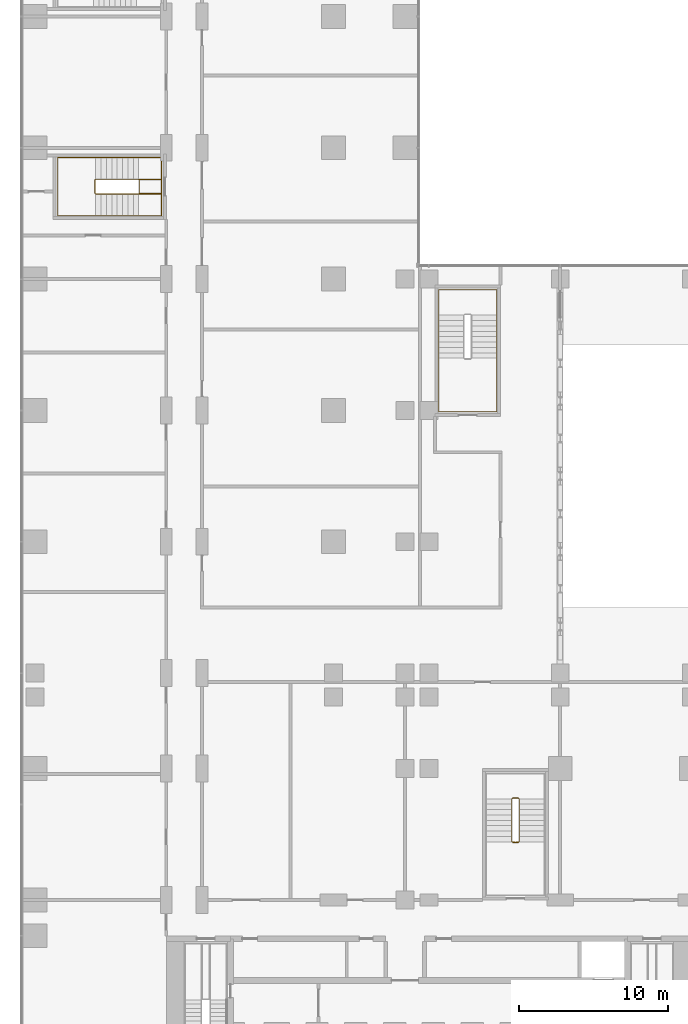
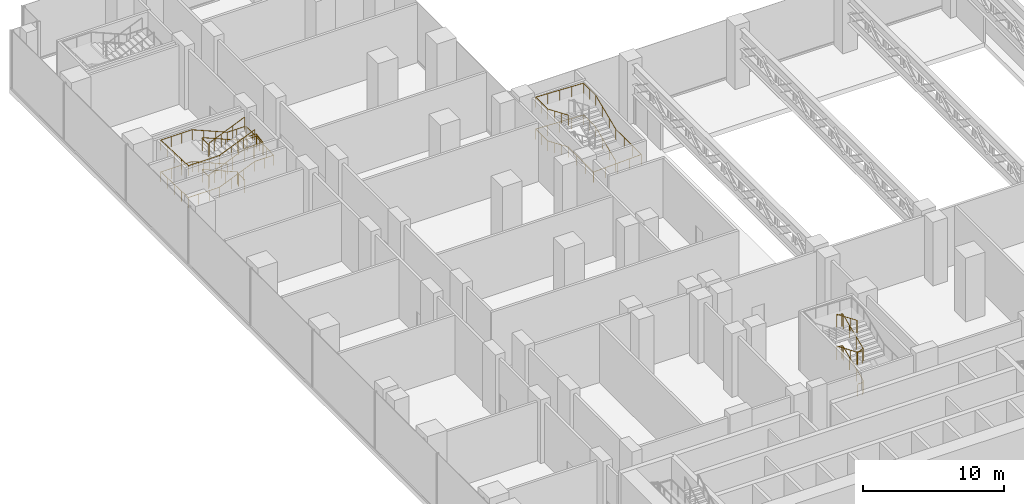
# One storey, part 27 of 30: 4 railings.
"""IFC4 building model written with IfcOpenShell, lengths in metres."""

from ifc_helpers import new_model, si_unit, direction, frame, origin, origin_2d, place, context, subcontext, project, spatial, circle, extrude, material, type_object, element, save


model = new_model("IFC4")

# Units and contexts
model_context = context("Model", 3, precision=1e-05, world=origin(), true_north=direction((0.0, 1.0)))
body_context = subcontext(model_context, "Body", "Model", "MODEL_VIEW")
ifc_project = project(units=[si_unit("LENGTHUNIT", "METRE"), si_unit("AREAUNIT", "SQUARE_METRE"), si_unit("VOLUMEUNIT", "CUBIC_METRE"), si_unit("PLANEANGLEUNIT", "RADIAN"), si_unit("MASSUNIT", "GRAM", prefix="KILO")], contexts=[model_context])

# Site, building, storey
site_placement = place(None, origin())
site = spatial("IfcSite", under=ifc_project, at=site_placement, CompositionType="ELEMENT")
building_placement = place(site_placement, origin())
building = spatial("IfcBuilding", under=site, at=building_placement, Name="Kemantara Hotel Tower", CompositionType="ELEMENT")
storey_placement = place(building_placement, frame((0.0, 0.0, 23.5)))
storey = spatial("IfcBuildingStorey", under=building, at=storey_placement, Name="L04", CompositionType="ELEMENT", Elevation=23.5)

# Railings
ifc_material = material(Name="Stainless steel balustrade", Category="steel")
railing_type_1 = type_object("IfcRailingType", Name="Stair guard 1100 mm", PredefinedType="GUARDRAIL", material=ifc_material)
railing_1_placement = place(storey_placement, frame((7.949951171875, 59.5, 5.5)))
element("IfcRailing", 1, at=railing_1_placement, inside=storey, type_object=railing_type_1, Name="L04 ST4 stair guard 1", PredefinedType="GUARDRAIL", context=body_context, shape_type="SweptSolid", body=[
    extrude(circle(Radius=0.02392578125, at=origin_2d()), frame((0.0, 0.0, 1.076171875), z_axis=(-0.920535863683, 0.0, -0.390658064903), x_axis=(0.0, -1.0, 0.0)), (0.0, 0.0, 1.0), 3.12841796875),
    extrude(circle(Radius=0.02392578125, at=origin_2d()), frame((-2.8798828125, 0.0, -0.14599609375), z_axis=(-0.297155754911, 0.297155754911, -0.90741220768), x_axis=(-0.707106781187, -0.707106781187, 0.0)), (0.0, 0.0, 1.0), 0.16845703125),
    extrude(circle(Radius=0.02392578125, at=origin_2d()), frame((-2.929931640625, 0.050048828125, -0.298828125), z_axis=(0.0, 1.0, 0.0), x_axis=(-1.0, 0.0, 0.0)), (0.0, 0.0, 1.0), 0.89990234375),
    extrude(circle(Radius=0.02392578125, at=origin_2d()), frame((-2.929931640625, 0.949951171875, -0.298828125), z_axis=(0.707106781187, 0.707106781187, 0.0), x_axis=(-0.707106781187, 0.707106781187, 0.0)), (0.0, 0.0, 1.0), 0.07080078125),
    extrude(circle(Radius=0.02392578125, at=origin_2d()), frame((-2.8798828125, 1.0, -0.298828125), z_axis=(0.920535863683, 0.0, -0.390658064903), x_axis=(0.0, 1.0, 0.0)), (0.0, 0.0, 1.0), 3.12841796875),
    extrude(circle(Radius=0.02392578125, at=origin_2d()), frame((0.0, 1.0, -1.52099609375), z_axis=(1.0, 0.0, 0.0), x_axis=(0.0, 1.0, 0.0)), (0.0, 0.0, 1.0), 1.530029296875),
    extrude(circle(Radius=0.02392578125, at=origin_2d()), frame((1.530029296875, 1.0, -1.52099609375), z_axis=(0.0, -0.98730409242, -0.158841521936), x_axis=(1.0, 0.0, 0.0)), (0.0, 0.0, 1.0), 0.962158203125),
    extrude(circle(Radius=0.02392578125, at=origin_2d()), frame((1.530029296875, 0.050048828125, -1.673828125), z_axis=(-1.0, 0.0, 0.0), x_axis=(0.0, -1.0, 0.0)), (0.0, 0.0, 1.0), 1.47998046875),
    extrude(circle(Radius=0.02392578125, at=origin_2d()), frame((0.050048828125, 0.050048828125, -1.673828125), z_axis=(0.0, 1.0, 0.0), x_axis=(-1.0, 0.0, 0.0)), (0.0, 0.0, 1.0), 0.89990234375),
    extrude(circle(Radius=0.02392578125, at=origin_2d()), frame((0.050048828125, 0.949951171875, -1.673828125), z_axis=(1.0, 0.0, 0.0), x_axis=(0.0, 1.0, 0.0)), (0.0, 0.0, 1.0), 1.47998046875),
    extrude(circle(Radius=0.02392578125, at=origin_2d()), frame((1.530029296875, 0.949951171875, -1.673828125), z_axis=(0.0, -1.0, 0.0), x_axis=(1.0, 0.0, 0.0)), (0.0, 0.0, 1.0), 0.949951171875),
    extrude(circle(Radius=0.02392578125, at=origin_2d()), frame((1.530029296875, 0.0, -1.673828125), z_axis=(-1.0, 0.0, 0.0), x_axis=(0.0, -1.0, 0.0)), (0.0, 0.0, 1.0), 1.530029296875),
    extrude(circle(Radius=0.02392578125, at=origin_2d()), frame((0.0, 0.0, -1.673828125), z_axis=(-0.920535863683, 0.0, -0.390658064903), x_axis=(0.0, -1.0, 0.0)), (0.0, 0.0, 1.0), 3.12841796875),
    extrude(circle(Radius=0.02392578125, at=origin_2d()), frame((-2.8798828125, 0.0, -2.89599609375), z_axis=(-0.297155754911, 0.297155754911, -0.90741220768), x_axis=(-0.707106781187, -0.707106781187, 0.0)), (0.0, 0.0, 1.0), 0.16845703125),
    extrude(circle(Radius=0.02392578125, at=origin_2d()), frame((-2.929931640625, 0.050048828125, -3.048828125), z_axis=(0.0, 1.0, 0.0), x_axis=(-1.0, 0.0, 0.0)), (0.0, 0.0, 1.0), 0.89990234375),
    extrude(circle(Radius=0.02392578125, at=origin_2d()), frame((-2.929931640625, 0.949951171875, -3.048828125), z_axis=(0.707106781187, 0.707106781187, 0.0), x_axis=(-0.707106781187, 0.707106781187, 0.0)), (0.0, 0.0, 1.0), 0.07080078125),
    extrude(circle(Radius=0.02392578125, at=origin_2d()), frame((-2.8798828125, 1.0, -3.048828125), z_axis=(0.920535863683, 0.0, -0.390658064903), x_axis=(0.0, 1.0, 0.0)), (0.0, 0.0, 1.0), 3.12841796875),
    extrude(circle(Radius=0.02392578125, at=origin_2d()), frame((0.0, 1.0, -4.27099609375), z_axis=(0.297155754911, -0.297155754911, -0.90741220768), x_axis=(0.707106781187, 0.707106781187, 0.0)), (0.0, 0.0, 1.0), 0.16845703125),
    extrude(circle(Radius=0.02392578125, at=origin_2d()), frame((0.050048828125, 0.949951171875, -4.423828125), z_axis=(0.0, -1.0, 0.0), x_axis=(1.0, 0.0, 0.0)), (0.0, 0.0, 1.0), 0.89990234375),
    extrude(circle(Radius=0.02099609375, at=origin_2d()), origin(), (0.0, 0.0, 1.0), 1.052001953125),
    extrude(circle(Radius=0.02099609375, at=origin_2d()), frame((-0.9599609375, 0.0, -0.407470703125)), (0.0, 0.0, 1.0), 1.052001953125),
    extrude(circle(Radius=0.02099609375, at=origin_2d()), frame((-1.919921875, 0.0, -0.814697265625)), (0.0, 0.0, 1.0), 1.052001953125),
    extrude(circle(Radius=0.02099609375, at=origin_2d()), frame((-2.8798828125, 0.0, -1.22216796875)), (0.0, 0.0, 1.0), 1.052001953125),
    extrude(circle(Radius=0.02099609375, at=origin_2d()), frame((-2.929931640625, 0.050048828125, -1.375)), (0.0, 0.0, 1.0), 1.052001953125),
    extrude(circle(Radius=0.02099609375, at=origin_2d()), frame((-2.929931640625, 0.949951171875, -1.375)), (0.0, 0.0, 1.0), 1.052001953125),
    extrude(circle(Radius=0.02099609375, at=origin_2d()), frame((-2.8798828125, 1.0, -1.375)), (0.0, 0.0, 1.0), 1.052001953125),
    extrude(circle(Radius=0.02099609375, at=origin_2d()), frame((-1.919921875, 1.0, -1.782470703125)), (0.0, 0.0, 1.0), 1.052001953125),
    extrude(circle(Radius=0.02099609375, at=origin_2d()), frame((-0.9599609375, 1.0, -2.189697265625)), (0.0, 0.0, 1.0), 1.052001953125),
    extrude(circle(Radius=0.02099609375, at=origin_2d()), frame((0.0, 1.0, -2.59716796875)), (0.0, 0.0, 1.0), 1.052001953125),
    extrude(circle(Radius=0.02099609375, at=origin_2d()), frame((0.76513671875, 1.0, -2.59716796875)), (0.0, 0.0, 1.0), 1.052001953125),
    extrude(circle(Radius=0.02099609375, at=origin_2d()), frame((1.530029296875, 1.0, -2.59716796875)), (0.0, 0.0, 1.0), 1.052001953125),
    extrude(circle(Radius=0.02099609375, at=origin_2d()), frame((1.530029296875, 0.050048828125, -2.75)), (0.0, 0.0, 1.0), 1.052001953125),
    extrude(circle(Radius=0.02099609375, at=origin_2d()), frame((0.7900390625, 0.050048828125, -2.75)), (0.0, 0.0, 1.0), 1.052001953125),
    extrude(circle(Radius=0.02099609375, at=origin_2d()), frame((0.050048828125, 0.050048828125, -2.75)), (0.0, 0.0, 1.0), 1.052001953125),
    extrude(circle(Radius=0.02099609375, at=origin_2d()), frame((0.050048828125, 0.949951171875, -2.75)), (0.0, 0.0, 1.0), 1.052001953125),
    extrude(circle(Radius=0.02099609375, at=origin_2d()), frame((0.7900390625, 0.949951171875, -2.75)), (0.0, 0.0, 1.0), 1.052001953125),
    extrude(circle(Radius=0.02099609375, at=origin_2d()), frame((1.530029296875, 0.949951171875, -2.75)), (0.0, 0.0, 1.0), 1.052001953125),
    extrude(circle(Radius=0.02099609375, at=origin_2d()), frame((1.530029296875, 0.0, -2.75)), (0.0, 0.0, 1.0), 1.052001953125),
    extrude(circle(Radius=0.02099609375, at=origin_2d()), frame((0.76513671875, 0.0, -2.75)), (0.0, 0.0, 1.0), 1.052001953125),
    extrude(circle(Radius=0.02099609375, at=origin_2d()), frame((0.0, 0.0, -2.75)), (0.0, 0.0, 1.0), 1.052001953125),
    extrude(circle(Radius=0.02099609375, at=origin_2d()), frame((-0.9599609375, 0.0, -3.157470703125)), (0.0, 0.0, 1.0), 1.052001953125),
    extrude(circle(Radius=0.02099609375, at=origin_2d()), frame((-1.919921875, 0.0, -3.564697265625)), (0.0, 0.0, 1.0), 1.052001953125),
    extrude(circle(Radius=0.02099609375, at=origin_2d()), frame((-2.8798828125, 0.0, -3.97216796875)), (0.0, 0.0, 1.0), 1.052001953125),
    extrude(circle(Radius=0.02099609375, at=origin_2d()), frame((-2.929931640625, 0.050048828125, -4.125)), (0.0, 0.0, 1.0), 1.052001953125),
    extrude(circle(Radius=0.02099609375, at=origin_2d()), frame((-2.929931640625, 0.949951171875, -4.125)), (0.0, 0.0, 1.0), 1.052001953125),
    extrude(circle(Radius=0.02099609375, at=origin_2d()), frame((-2.8798828125, 1.0, -4.125)), (0.0, 0.0, 1.0), 1.052001953125),
    extrude(circle(Radius=0.02099609375, at=origin_2d()), frame((-1.919921875, 1.0, -4.532470703125)), (0.0, 0.0, 1.0), 1.052001953125),
    extrude(circle(Radius=0.02099609375, at=origin_2d()), frame((-0.9599609375, 1.0, -4.939697265625)), (0.0, 0.0, 1.0), 1.052001953125),
    extrude(circle(Radius=0.02099609375, at=origin_2d()), frame((0.0, 1.0, -5.34716796875)), (0.0, 0.0, 1.0), 1.052001953125),
    extrude(circle(Radius=0.02099609375, at=origin_2d()), frame((0.050048828125, 0.949951171875, -5.5)), (0.0, 0.0, 1.0), 1.052001953125),
    extrude(circle(Radius=0.02099609375, at=origin_2d()), frame((0.050048828125, 0.050048828125, -5.5)), (0.0, 0.0, 1.0), 1.052001953125),
])
railing_2_placement = place(storey_placement, frame((32.949951171875, 16.10009765625, 5.5)))
element("IfcRailing", 2, at=railing_2_placement, inside=storey, type_object=railing_type_1, Name="L04 PS3 stair guard 1", PredefinedType="GUARDRAIL", context=body_context, shape_type="SweptSolid", body=[
    extrude(circle(Radius=0.02392578125, at=origin_2d()), frame((0.0, 0.0, 1.076171875), z_axis=(0.0, 0.920535863683, -0.390658064903), x_axis=(-1.0, 0.0, 0.0)), (0.0, 0.0, 1.0), 3.12841796875),
    extrude(circle(Radius=0.02392578125, at=origin_2d()), frame((0.0, 2.8798828125, -0.14599609375), z_axis=(0.297155754911, 0.297155754911, -0.90741220768), x_axis=(-0.707106781187, 0.707106781187, 0.0)), (0.0, 0.0, 1.0), 0.16845703125),
    extrude(circle(Radius=0.02392578125, at=origin_2d()), frame((0.050048828125, 2.929931640625, -0.298828125), z_axis=(1.0, 0.0, 0.0), x_axis=(0.0, 1.0, 0.0)), (0.0, 0.0, 1.0), 0.39990234375),
    extrude(circle(Radius=0.02392578125, at=origin_2d()), frame((0.449951171875, 2.929931640625, -0.298828125), z_axis=(0.707106781187, -0.707106781187, 0.0), x_axis=(0.707106781187, 0.707106781187, 0.0)), (0.0, 0.0, 1.0), 0.07080078125),
    extrude(circle(Radius=0.02392578125, at=origin_2d()), frame((0.5, 2.8798828125, -0.298828125), z_axis=(0.0, -0.920535863683, -0.390658064903), x_axis=(1.0, 0.0, 0.0)), (0.0, 0.0, 1.0), 3.12841796875),
    extrude(circle(Radius=0.02392578125, at=origin_2d()), frame((0.5, 0.0, -1.52099609375), z_axis=(-0.941661397821, -0.104742586301, -0.319848092803), x_axis=(0.110549901152, -0.993870574751, 0.0)), (0.0, 0.0, 1.0), 0.477783203125),
    extrude(circle(Radius=0.02392578125, at=origin_2d()), frame((0.050048828125, -0.050048828125, -1.673828125), z_axis=(1.0, 0.0, 0.0), x_axis=(0.0, 1.0, 0.0)), (0.0, 0.0, 1.0), 0.39990234375),
    extrude(circle(Radius=0.02392578125, at=origin_2d()), frame((0.449951171875, -0.050048828125, -1.673828125), z_axis=(-0.993870574751, 0.110549901152, 0.0), x_axis=(-0.110549901152, -0.993870574751, 0.0)), (0.0, 0.0, 1.0), 0.45263671875),
    extrude(circle(Radius=0.02392578125, at=origin_2d()), frame((0.0, 0.0, -1.673828125), z_axis=(0.0, 0.920535863683, -0.390658064903), x_axis=(-1.0, 0.0, 0.0)), (0.0, 0.0, 1.0), 3.12841796875),
    extrude(circle(Radius=0.02392578125, at=origin_2d()), frame((0.0, 2.8798828125, -2.89599609375), z_axis=(0.297155754911, 0.297155754911, -0.90741220768), x_axis=(-0.707106781187, 0.707106781187, 0.0)), (0.0, 0.0, 1.0), 0.16845703125),
    extrude(circle(Radius=0.02392578125, at=origin_2d()), frame((0.050048828125, 2.929931640625, -3.048828125), z_axis=(1.0, 0.0, 0.0), x_axis=(0.0, 1.0, 0.0)), (0.0, 0.0, 1.0), 0.39990234375),
    extrude(circle(Radius=0.02392578125, at=origin_2d()), frame((0.449951171875, 2.929931640625, -3.048828125), z_axis=(0.707106781187, -0.707106781187, 0.0), x_axis=(0.707106781187, 0.707106781187, 0.0)), (0.0, 0.0, 1.0), 0.07080078125),
    extrude(circle(Radius=0.02392578125, at=origin_2d()), frame((0.5, 2.8798828125, -3.048828125), z_axis=(0.0, -0.920535863683, -0.390658064903), x_axis=(1.0, 0.0, 0.0)), (0.0, 0.0, 1.0), 3.12841796875),
    extrude(circle(Radius=0.02392578125, at=origin_2d()), frame((0.5, 0.0, -4.27099609375), z_axis=(-0.297155754911, -0.297155754911, -0.90741220768), x_axis=(0.707106781187, -0.707106781187, 0.0)), (0.0, 0.0, 1.0), 0.16845703125),
    extrude(circle(Radius=0.02392578125, at=origin_2d()), frame((0.449951171875, -0.050048828125, -4.423828125), z_axis=(-1.0, 0.0, 0.0), x_axis=(0.0, -1.0, 0.0)), (0.0, 0.0, 1.0), 0.39990234375),
    extrude(circle(Radius=0.02099609375, at=origin_2d()), origin(), (0.0, 0.0, 1.0), 1.052001953125),
    extrude(circle(Radius=0.02099609375, at=origin_2d()), frame((0.0, 0.9599609375, -0.407470703125)), (0.0, 0.0, 1.0), 1.052001953125),
    extrude(circle(Radius=0.02099609375, at=origin_2d()), frame((0.0, 1.919921875, -0.814697265625)), (0.0, 0.0, 1.0), 1.052001953125),
    extrude(circle(Radius=0.02099609375, at=origin_2d()), frame((0.0, 2.8798828125, -1.22216796875)), (0.0, 0.0, 1.0), 1.052001953125),
    extrude(circle(Radius=0.02099609375, at=origin_2d()), frame((0.050048828125, 2.929931640625, -1.375)), (0.0, 0.0, 1.0), 1.052001953125),
    extrude(circle(Radius=0.02099609375, at=origin_2d()), frame((0.449951171875, 2.929931640625, -1.375)), (0.0, 0.0, 1.0), 1.052001953125),
    extrude(circle(Radius=0.02099609375, at=origin_2d()), frame((0.5, 2.8798828125, -1.375)), (0.0, 0.0, 1.0), 1.052001953125),
    extrude(circle(Radius=0.02099609375, at=origin_2d()), frame((0.5, 1.919921875, -1.782470703125)), (0.0, 0.0, 1.0), 1.052001953125),
    extrude(circle(Radius=0.02099609375, at=origin_2d()), frame((0.5, 0.9599609375, -2.189697265625)), (0.0, 0.0, 1.0), 1.052001953125),
    extrude(circle(Radius=0.02099609375, at=origin_2d()), frame((0.5, 0.0, -2.59716796875)), (0.0, 0.0, 1.0), 1.052001953125),
    extrude(circle(Radius=0.02099609375, at=origin_2d()), frame((0.050048828125, -0.050048828125, -2.75)), (0.0, 0.0, 1.0), 1.052001953125),
    extrude(circle(Radius=0.02099609375, at=origin_2d()), frame((0.449951171875, -0.050048828125, -2.75)), (0.0, 0.0, 1.0), 1.052001953125),
    extrude(circle(Radius=0.02099609375, at=origin_2d()), frame((0.0, 0.0, -2.75)), (0.0, 0.0, 1.0), 1.052001953125),
    extrude(circle(Radius=0.02099609375, at=origin_2d()), frame((0.0, 0.9599609375, -3.157470703125)), (0.0, 0.0, 1.0), 1.052001953125),
    extrude(circle(Radius=0.02099609375, at=origin_2d()), frame((0.0, 1.919921875, -3.564697265625)), (0.0, 0.0, 1.0), 1.052001953125),
    extrude(circle(Radius=0.02099609375, at=origin_2d()), frame((0.0, 2.8798828125, -3.97216796875)), (0.0, 0.0, 1.0), 1.052001953125),
    extrude(circle(Radius=0.02099609375, at=origin_2d()), frame((0.050048828125, 2.929931640625, -4.125)), (0.0, 0.0, 1.0), 1.052001953125),
    extrude(circle(Radius=0.02099609375, at=origin_2d()), frame((0.449951171875, 2.929931640625, -4.125)), (0.0, 0.0, 1.0), 1.052001953125),
    extrude(circle(Radius=0.02099609375, at=origin_2d()), frame((0.5, 2.8798828125, -4.125)), (0.0, 0.0, 1.0), 1.052001953125),
    extrude(circle(Radius=0.02099609375, at=origin_2d()), frame((0.5, 1.919921875, -4.532470703125)), (0.0, 0.0, 1.0), 1.052001953125),
    extrude(circle(Radius=0.02099609375, at=origin_2d()), frame((0.5, 0.9599609375, -4.939697265625)), (0.0, 0.0, 1.0), 1.052001953125),
    extrude(circle(Radius=0.02099609375, at=origin_2d()), frame((0.5, 0.0, -5.34716796875)), (0.0, 0.0, 1.0), 1.052001953125),
    extrude(circle(Radius=0.02099609375, at=origin_2d()), frame((0.449951171875, -0.050048828125, -5.5)), (0.0, 0.0, 1.0), 1.052001953125),
    extrude(circle(Radius=0.02099609375, at=origin_2d()), frame((0.050048828125, -0.050048828125, -5.5)), (0.0, 0.0, 1.0), 1.052001953125),
])
railing_type_2 = type_object("IfcRailingType", Name="Stair handrail 900 mm", PredefinedType="HANDRAIL", material=ifc_material)
railing_3_placement = place(storey_placement, frame((7.949951171875, 61.949951171875, 0.15283203125)))
element("IfcRailing", 3, at=railing_3_placement, inside=storey, type_object=railing_type_2, Name="L04 ST4 stair handrail 1", PredefinedType="HANDRAIL", context=body_context, shape_type="SweptSolid", body=[
    extrude(circle(Radius=0.02392578125, at=origin_2d()), frame((0.0, 0.0, 0.8759765625), z_axis=(-0.920535863683, 0.0, 0.390658064903), x_axis=(0.0, -1.0, 0.0)), (0.0, 0.0, 1.0), 3.12841796875),
    extrude(circle(Radius=0.02392578125, at=origin_2d()), frame((-2.8798828125, 0.0, 2.09814453125), z_axis=(-1.0, 0.0, 0.0), x_axis=(0.0, -1.0, 0.0)), (0.0, 0.0, 1.0), 2.550048828125),
    extrude(circle(Radius=0.02392578125, at=origin_2d()), frame((-5.429931640625, 0.0, 2.09814453125), z_axis=(0.0, -0.999233006938, 0.039158624161), x_axis=(1.0, 0.0, 0.0)), (0.0, 0.0, 1.0), 3.90283203125),
    extrude(circle(Radius=0.02392578125, at=origin_2d()), frame((-5.429931640625, -3.89990234375, 2.2509765625), z_axis=(1.0, 0.0, 0.0), x_axis=(0.0, 1.0, 0.0)), (0.0, 0.0, 1.0), 2.550048828125),
    extrude(circle(Radius=0.02392578125, at=origin_2d()), frame((-2.8798828125, -3.89990234375, 2.2509765625), z_axis=(0.920535863683, 0.0, 0.390658064903), x_axis=(0.0, 1.0, 0.0)), (0.0, 0.0, 1.0), 3.12841796875),
    extrude(circle(Radius=0.02392578125, at=origin_2d()), frame((0.0, -3.89990234375, 3.47314453125), z_axis=(1.0, 0.0, 0.0), x_axis=(0.0, 1.0, 0.0)), (0.0, 0.0, 1.0), 1.530029296875),
    extrude(circle(Radius=0.02392578125, at=origin_2d()), frame((1.530029296875, -3.89990234375, 3.47314453125), z_axis=(0.0, 0.999233006938, 0.039158624161), x_axis=(-1.0, 0.0, 0.0)), (0.0, 0.0, 1.0), 3.90283203125),
    extrude(circle(Radius=0.02392578125, at=origin_2d()), frame((1.530029296875, 0.0, 3.6259765625), z_axis=(-1.0, 0.0, 0.0), x_axis=(0.0, -1.0, 0.0)), (0.0, 0.0, 1.0), 1.530029296875),
    extrude(circle(Radius=0.02392578125, at=origin_2d()), frame((0.0, 0.0, 3.6259765625), z_axis=(-0.920535863683, 0.0, 0.390658064903), x_axis=(0.0, -1.0, 0.0)), (0.0, 0.0, 1.0), 3.12841796875),
    extrude(circle(Radius=0.02392578125, at=origin_2d()), frame((-2.8798828125, 0.0, 4.84814453125), z_axis=(-1.0, 0.0, 0.0), x_axis=(0.0, -1.0, 0.0)), (0.0, 0.0, 1.0), 2.550048828125),
    extrude(circle(Radius=0.02392578125, at=origin_2d()), frame((-5.429931640625, 0.0, 4.84814453125), z_axis=(0.0, -0.999233006938, 0.039158624161), x_axis=(1.0, 0.0, 0.0)), (0.0, 0.0, 1.0), 3.90283203125),
    extrude(circle(Radius=0.02392578125, at=origin_2d()), frame((-5.429931640625, -3.89990234375, 5.0009765625), z_axis=(1.0, 0.0, 0.0), x_axis=(0.0, 1.0, 0.0)), (0.0, 0.0, 1.0), 2.550048828125),
    extrude(circle(Radius=0.02392578125, at=origin_2d()), frame((-2.8798828125, -3.89990234375, 5.0009765625), z_axis=(0.920535863683, 0.0, 0.390658064903), x_axis=(0.0, 1.0, 0.0)), (0.0, 0.0, 1.0), 3.12841796875),
    extrude(circle(Radius=0.02099609375, at=origin_2d()), origin(), (0.0, 0.0, 1.0), 0.851806640625),
    extrude(circle(Radius=0.02099609375, at=origin_2d()), frame((-0.9599609375, 0.0, 0.407470703125)), (0.0, 0.0, 1.0), 0.851806640625),
    extrude(circle(Radius=0.02099609375, at=origin_2d()), frame((-1.919921875, 0.0, 0.814697265625)), (0.0, 0.0, 1.0), 0.851806640625),
    extrude(circle(Radius=0.02099609375, at=origin_2d()), frame((-2.8798828125, 0.0, 1.22216796875)), (0.0, 0.0, 1.0), 0.851806640625),
    extrude(circle(Radius=0.02099609375, at=origin_2d()), frame((-3.72998046875, 0.0, 1.22216796875)), (0.0, 0.0, 1.0), 0.851806640625),
    extrude(circle(Radius=0.02099609375, at=origin_2d()), frame((-4.579833984375, 0.0, 1.22216796875)), (0.0, 0.0, 1.0), 0.851806640625),
    extrude(circle(Radius=0.02099609375, at=origin_2d()), frame((-5.429931640625, 0.0, 1.22216796875)), (0.0, 0.0, 1.0), 0.851806640625),
    extrude(circle(Radius=0.02099609375, at=origin_2d()), frame((-5.429931640625, -0.97509765625, 1.26025390625)), (0.0, 0.0, 1.0), 0.851806640625),
    extrude(circle(Radius=0.02099609375, at=origin_2d()), frame((-5.429931640625, -1.949951171875, 1.298583984375)), (0.0, 0.0, 1.0), 0.851806640625),
    extrude(circle(Radius=0.02099609375, at=origin_2d()), frame((-5.429931640625, -2.9248046875, 1.3369140625)), (0.0, 0.0, 1.0), 0.851806640625),
    extrude(circle(Radius=0.02099609375, at=origin_2d()), frame((-5.429931640625, -3.89990234375, 1.375)), (0.0, 0.0, 1.0), 0.851806640625),
    extrude(circle(Radius=0.02099609375, at=origin_2d()), frame((-4.579833984375, -3.89990234375, 1.375)), (0.0, 0.0, 1.0), 0.851806640625),
    extrude(circle(Radius=0.02099609375, at=origin_2d()), frame((-3.72998046875, -3.89990234375, 1.375)), (0.0, 0.0, 1.0), 0.851806640625),
    extrude(circle(Radius=0.02099609375, at=origin_2d()), frame((-2.8798828125, -3.89990234375, 1.375)), (0.0, 0.0, 1.0), 0.851806640625),
    extrude(circle(Radius=0.02099609375, at=origin_2d()), frame((-1.919921875, -3.89990234375, 1.782470703125)), (0.0, 0.0, 1.0), 0.851806640625),
    extrude(circle(Radius=0.02099609375, at=origin_2d()), frame((-0.9599609375, -3.89990234375, 2.189697265625)), (0.0, 0.0, 1.0), 0.851806640625),
    extrude(circle(Radius=0.02099609375, at=origin_2d()), frame((0.0, -3.89990234375, 2.59716796875)), (0.0, 0.0, 1.0), 0.851806640625),
    extrude(circle(Radius=0.02099609375, at=origin_2d()), frame((0.76513671875, -3.89990234375, 2.59716796875)), (0.0, 0.0, 1.0), 0.851806640625),
    extrude(circle(Radius=0.02099609375, at=origin_2d()), frame((1.530029296875, -3.89990234375, 2.59716796875)), (0.0, 0.0, 1.0), 0.851806640625),
    extrude(circle(Radius=0.02099609375, at=origin_2d()), frame((1.530029296875, -2.9248046875, 2.63525390625)), (0.0, 0.0, 1.0), 0.851806640625),
    extrude(circle(Radius=0.02099609375, at=origin_2d()), frame((1.530029296875, -1.949951171875, 2.673583984375)), (0.0, 0.0, 1.0), 0.851806640625),
    extrude(circle(Radius=0.02099609375, at=origin_2d()), frame((1.530029296875, -0.97509765625, 2.7119140625)), (0.0, 0.0, 1.0), 0.851806640625),
    extrude(circle(Radius=0.02099609375, at=origin_2d()), frame((1.530029296875, 0.0, 2.75)), (0.0, 0.0, 1.0), 0.851806640625),
    extrude(circle(Radius=0.02099609375, at=origin_2d()), frame((0.76513671875, 0.0, 2.75)), (0.0, 0.0, 1.0), 0.851806640625),
    extrude(circle(Radius=0.02099609375, at=origin_2d()), frame((0.0, 0.0, 2.75)), (0.0, 0.0, 1.0), 0.851806640625),
    extrude(circle(Radius=0.02099609375, at=origin_2d()), frame((-0.9599609375, 0.0, 3.157470703125)), (0.0, 0.0, 1.0), 0.851806640625),
    extrude(circle(Radius=0.02099609375, at=origin_2d()), frame((-1.919921875, 0.0, 3.564697265625)), (0.0, 0.0, 1.0), 0.851806640625),
    extrude(circle(Radius=0.02099609375, at=origin_2d()), frame((-2.8798828125, 0.0, 3.97216796875)), (0.0, 0.0, 1.0), 0.851806640625),
    extrude(circle(Radius=0.02099609375, at=origin_2d()), frame((-3.72998046875, 0.0, 3.97216796875)), (0.0, 0.0, 1.0), 0.851806640625),
    extrude(circle(Radius=0.02099609375, at=origin_2d()), frame((-4.579833984375, 0.0, 3.97216796875)), (0.0, 0.0, 1.0), 0.851806640625),
    extrude(circle(Radius=0.02099609375, at=origin_2d()), frame((-5.429931640625, 0.0, 3.97216796875)), (0.0, 0.0, 1.0), 0.851806640625),
    extrude(circle(Radius=0.02099609375, at=origin_2d()), frame((-5.429931640625, -0.97509765625, 4.01025390625)), (0.0, 0.0, 1.0), 0.851806640625),
    extrude(circle(Radius=0.02099609375, at=origin_2d()), frame((-5.429931640625, -1.949951171875, 4.048583984375)), (0.0, 0.0, 1.0), 0.851806640625),
    extrude(circle(Radius=0.02099609375, at=origin_2d()), frame((-5.429931640625, -2.9248046875, 4.0869140625)), (0.0, 0.0, 1.0), 0.851806640625),
    extrude(circle(Radius=0.02099609375, at=origin_2d()), frame((-5.429931640625, -3.89990234375, 4.125)), (0.0, 0.0, 1.0), 0.851806640625),
    extrude(circle(Radius=0.02099609375, at=origin_2d()), frame((-4.579833984375, -3.89990234375, 4.125)), (0.0, 0.0, 1.0), 0.851806640625),
    extrude(circle(Radius=0.02099609375, at=origin_2d()), frame((-3.72998046875, -3.89990234375, 4.125)), (0.0, 0.0, 1.0), 0.851806640625),
    extrude(circle(Radius=0.02099609375, at=origin_2d()), frame((-2.8798828125, -3.89990234375, 4.125)), (0.0, 0.0, 1.0), 0.851806640625),
    extrude(circle(Radius=0.02099609375, at=origin_2d()), frame((-1.919921875, -3.89990234375, 4.532470703125)), (0.0, 0.0, 1.0), 0.851806640625),
    extrude(circle(Radius=0.02099609375, at=origin_2d()), frame((-0.9599609375, -3.89990234375, 4.939697265625)), (0.0, 0.0, 1.0), 0.851806640625),
    extrude(circle(Radius=0.02099609375, at=origin_2d()), frame((0.0, -3.89990234375, 5.34716796875)), (0.0, 0.0, 1.0), 0.851806640625),
])
railing_4_placement = place(storey_placement, frame((31.949951171875, 48.5, 0.15283203125)))
element("IfcRailing", 4, at=railing_4_placement, inside=storey, type_object=railing_type_2, Name="L04 PS2 stair handrail 1", PredefinedType="HANDRAIL", context=body_context, shape_type="SweptSolid", body=[
    extrude(circle(Radius=0.02392578125, at=origin_2d()), frame((0.0, 0.0, 0.8759765625), z_axis=(0.0, 0.920535863683, 0.390658064903), x_axis=(-1.0, 0.0, 0.0)), (0.0, 0.0, 1.0), 3.12841796875),
    extrude(circle(Radius=0.02392578125, at=origin_2d()), frame((0.0, 2.8798828125, 2.09814453125), z_axis=(0.0, 1.0, 0.0), x_axis=(-1.0, 0.0, 0.0)), (0.0, 0.0, 1.0), 1.7001953125),
    extrude(circle(Radius=0.02392578125, at=origin_2d()), frame((0.0, 4.580078125, 2.09814453125), z_axis=(-0.999233006938, 0.0, 0.039158624161), x_axis=(0.0, -1.0, 0.0)), (0.0, 0.0, 1.0), 3.90283203125),
    extrude(circle(Radius=0.02392578125, at=origin_2d()), frame((-3.89990234375, 4.580078125, 2.2509765625), z_axis=(0.0, -1.0, 0.0), x_axis=(1.0, 0.0, 0.0)), (0.0, 0.0, 1.0), 1.7001953125),
    extrude(circle(Radius=0.02392578125, at=origin_2d()), frame((-3.89990234375, 2.8798828125, 2.2509765625), z_axis=(0.0, -0.920535863683, 0.390658064903), x_axis=(1.0, 0.0, 0.0)), (0.0, 0.0, 1.0), 3.12841796875),
    extrude(circle(Radius=0.02392578125, at=origin_2d()), frame((-3.89990234375, 0.0, 3.47314453125), z_axis=(0.0, -1.0, 0.0), x_axis=(1.0, 0.0, 0.0)), (0.0, 0.0, 1.0), 3.580078125),
    extrude(circle(Radius=0.02392578125, at=origin_2d()), frame((-3.89990234375, -3.580078125, 3.47314453125), z_axis=(0.999233006938, 0.0, 0.039158624161), x_axis=(0.0, 1.0, 0.0)), (0.0, 0.0, 1.0), 3.90283203125),
    extrude(circle(Radius=0.02392578125, at=origin_2d()), frame((0.0, -3.580078125, 3.6259765625), z_axis=(0.0, 1.0, 0.0), x_axis=(-1.0, 0.0, 0.0)), (0.0, 0.0, 1.0), 3.580078125),
    extrude(circle(Radius=0.02392578125, at=origin_2d()), frame((0.0, 0.0, 3.6259765625), z_axis=(0.0, 0.920535863683, 0.390658064903), x_axis=(-1.0, 0.0, 0.0)), (0.0, 0.0, 1.0), 3.12841796875),
    extrude(circle(Radius=0.02392578125, at=origin_2d()), frame((0.0, 2.8798828125, 4.84814453125), z_axis=(0.0, 1.0, 0.0), x_axis=(-1.0, 0.0, 0.0)), (0.0, 0.0, 1.0), 1.7001953125),
    extrude(circle(Radius=0.02392578125, at=origin_2d()), frame((0.0, 4.580078125, 4.84814453125), z_axis=(-0.999233006938, 0.0, 0.039158624161), x_axis=(0.0, -1.0, 0.0)), (0.0, 0.0, 1.0), 3.90283203125),
    extrude(circle(Radius=0.02392578125, at=origin_2d()), frame((-3.89990234375, 4.580078125, 5.0009765625), z_axis=(0.0, -1.0, 0.0), x_axis=(1.0, 0.0, 0.0)), (0.0, 0.0, 1.0), 1.7001953125),
    extrude(circle(Radius=0.02392578125, at=origin_2d()), frame((-3.89990234375, 2.8798828125, 5.0009765625), z_axis=(0.0, -0.920535863683, 0.390658064903), x_axis=(1.0, 0.0, 0.0)), (0.0, 0.0, 1.0), 3.12841796875),
    extrude(circle(Radius=0.02099609375, at=origin_2d()), origin(), (0.0, 0.0, 1.0), 0.851806640625),
    extrude(circle(Radius=0.02099609375, at=origin_2d()), frame((0.0, 0.9599609375, 0.407470703125)), (0.0, 0.0, 1.0), 0.851806640625),
    extrude(circle(Radius=0.02099609375, at=origin_2d()), frame((0.0, 1.919921875, 0.814697265625)), (0.0, 0.0, 1.0), 0.851806640625),
    extrude(circle(Radius=0.02099609375, at=origin_2d()), frame((0.0, 2.8798828125, 1.22216796875)), (0.0, 0.0, 1.0), 0.851806640625),
    extrude(circle(Radius=0.02099609375, at=origin_2d()), frame((0.0, 3.72998046875, 1.22216796875)), (0.0, 0.0, 1.0), 0.851806640625),
    extrude(circle(Radius=0.02099609375, at=origin_2d()), frame((0.0, 4.580078125, 1.22216796875)), (0.0, 0.0, 1.0), 0.851806640625),
    extrude(circle(Radius=0.02099609375, at=origin_2d()), frame((-0.97509765625, 4.580078125, 1.26025390625)), (0.0, 0.0, 1.0), 0.851806640625),
    extrude(circle(Radius=0.02099609375, at=origin_2d()), frame((-1.949951171875, 4.580078125, 1.298583984375)), (0.0, 0.0, 1.0), 0.851806640625),
    extrude(circle(Radius=0.02099609375, at=origin_2d()), frame((-2.9248046875, 4.580078125, 1.3369140625)), (0.0, 0.0, 1.0), 0.851806640625),
    extrude(circle(Radius=0.02099609375, at=origin_2d()), frame((-3.89990234375, 4.580078125, 1.375)), (0.0, 0.0, 1.0), 0.851806640625),
    extrude(circle(Radius=0.02099609375, at=origin_2d()), frame((-3.89990234375, 3.72998046875, 1.375)), (0.0, 0.0, 1.0), 0.851806640625),
    extrude(circle(Radius=0.02099609375, at=origin_2d()), frame((-3.89990234375, 2.8798828125, 1.375)), (0.0, 0.0, 1.0), 0.851806640625),
    extrude(circle(Radius=0.02099609375, at=origin_2d()), frame((-3.89990234375, 1.919921875, 1.782470703125)), (0.0, 0.0, 1.0), 0.851806640625),
    extrude(circle(Radius=0.02099609375, at=origin_2d()), frame((-3.89990234375, 0.9599609375, 2.189697265625)), (0.0, 0.0, 1.0), 0.851806640625),
    extrude(circle(Radius=0.02099609375, at=origin_2d()), frame((-3.89990234375, 0.0, 2.59716796875)), (0.0, 0.0, 1.0), 0.851806640625),
    extrude(circle(Radius=0.02099609375, at=origin_2d()), frame((-3.89990234375, -1.193359375, 2.59716796875)), (0.0, 0.0, 1.0), 0.851806640625),
    extrude(circle(Radius=0.02099609375, at=origin_2d()), frame((-3.89990234375, -2.38671875, 2.59716796875)), (0.0, 0.0, 1.0), 0.851806640625),
    extrude(circle(Radius=0.02099609375, at=origin_2d()), frame((-3.89990234375, -3.580078125, 2.59716796875)), (0.0, 0.0, 1.0), 0.851806640625),
    extrude(circle(Radius=0.02099609375, at=origin_2d()), frame((-2.9248046875, -3.580078125, 2.63525390625)), (0.0, 0.0, 1.0), 0.851806640625),
    extrude(circle(Radius=0.02099609375, at=origin_2d()), frame((-1.949951171875, -3.580078125, 2.673583984375)), (0.0, 0.0, 1.0), 0.851806640625),
    extrude(circle(Radius=0.02099609375, at=origin_2d()), frame((-0.97509765625, -3.580078125, 2.7119140625)), (0.0, 0.0, 1.0), 0.851806640625),
    extrude(circle(Radius=0.02099609375, at=origin_2d()), frame((0.0, -3.580078125, 2.75)), (0.0, 0.0, 1.0), 0.851806640625),
    extrude(circle(Radius=0.02099609375, at=origin_2d()), frame((0.0, -2.38671875, 2.75)), (0.0, 0.0, 1.0), 0.851806640625),
    extrude(circle(Radius=0.02099609375, at=origin_2d()), frame((0.0, -1.193359375, 2.75)), (0.0, 0.0, 1.0), 0.851806640625),
    extrude(circle(Radius=0.02099609375, at=origin_2d()), frame((0.0, 0.0, 2.75)), (0.0, 0.0, 1.0), 0.851806640625),
    extrude(circle(Radius=0.02099609375, at=origin_2d()), frame((0.0, 0.9599609375, 3.157470703125)), (0.0, 0.0, 1.0), 0.851806640625),
    extrude(circle(Radius=0.02099609375, at=origin_2d()), frame((0.0, 1.919921875, 3.564697265625)), (0.0, 0.0, 1.0), 0.851806640625),
    extrude(circle(Radius=0.02099609375, at=origin_2d()), frame((0.0, 2.8798828125, 3.97216796875)), (0.0, 0.0, 1.0), 0.851806640625),
    extrude(circle(Radius=0.02099609375, at=origin_2d()), frame((0.0, 3.72998046875, 3.97216796875)), (0.0, 0.0, 1.0), 0.851806640625),
    extrude(circle(Radius=0.02099609375, at=origin_2d()), frame((0.0, 4.580078125, 3.97216796875)), (0.0, 0.0, 1.0), 0.851806640625),
    extrude(circle(Radius=0.02099609375, at=origin_2d()), frame((-0.97509765625, 4.580078125, 4.01025390625)), (0.0, 0.0, 1.0), 0.851806640625),
    extrude(circle(Radius=0.02099609375, at=origin_2d()), frame((-1.949951171875, 4.580078125, 4.048583984375)), (0.0, 0.0, 1.0), 0.851806640625),
    extrude(circle(Radius=0.02099609375, at=origin_2d()), frame((-2.9248046875, 4.580078125, 4.0869140625)), (0.0, 0.0, 1.0), 0.851806640625),
    extrude(circle(Radius=0.02099609375, at=origin_2d()), frame((-3.89990234375, 4.580078125, 4.125)), (0.0, 0.0, 1.0), 0.851806640625),
    extrude(circle(Radius=0.02099609375, at=origin_2d()), frame((-3.89990234375, 3.72998046875, 4.125)), (0.0, 0.0, 1.0), 0.851806640625),
    extrude(circle(Radius=0.02099609375, at=origin_2d()), frame((-3.89990234375, 2.8798828125, 4.125)), (0.0, 0.0, 1.0), 0.851806640625),
    extrude(circle(Radius=0.02099609375, at=origin_2d()), frame((-3.89990234375, 1.919921875, 4.532470703125)), (0.0, 0.0, 1.0), 0.851806640625),
    extrude(circle(Radius=0.02099609375, at=origin_2d()), frame((-3.89990234375, 0.9599609375, 4.939697265625)), (0.0, 0.0, 1.0), 0.851806640625),
    extrude(circle(Radius=0.02099609375, at=origin_2d()), frame((-3.89990234375, 0.0, 5.34716796875)), (0.0, 0.0, 1.0), 0.851806640625),
])

save(model, "model.ifc")
